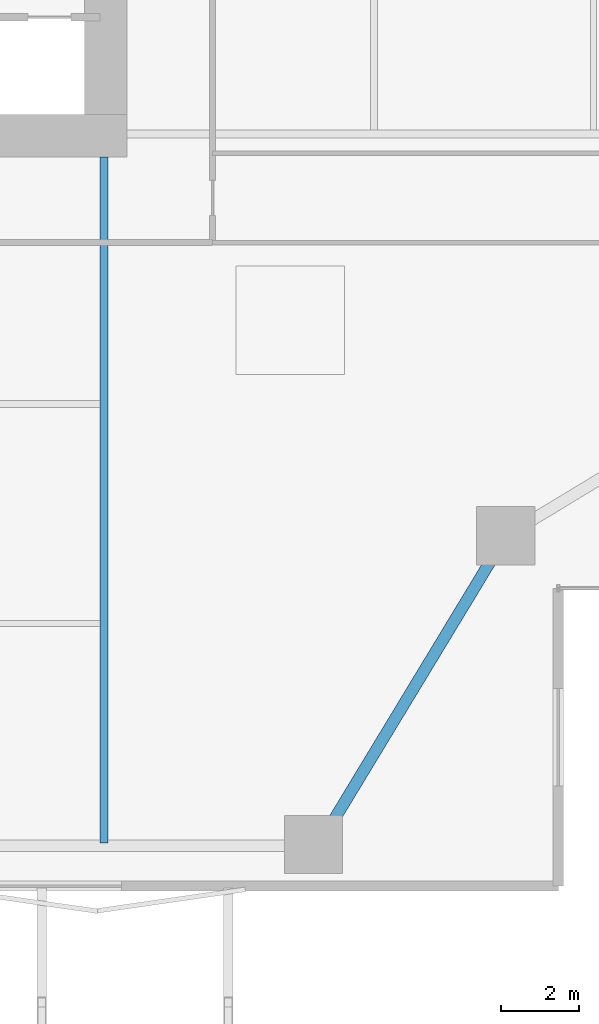
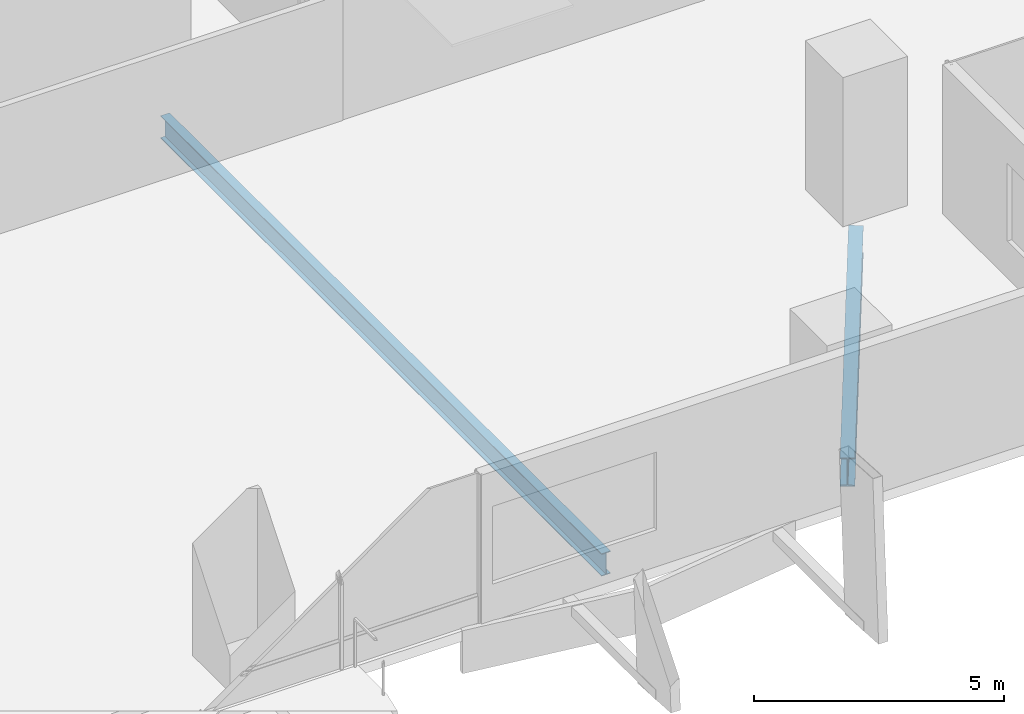
# One storey, part 9 of 30: 2 beams.
"""IFC4 building model written with IfcOpenShell, lengths in metres."""

from ifc_helpers import new_model, si_unit, direction, frame, origin, origin_2d, place, context, subcontext, project, spatial, i_section, extrude, material, material_profile, profile_set, type_object, element, save


model = new_model("IFC4")

# Units and contexts
model_context = context("Model", 3, precision=1e-05, world=origin(), true_north=direction((0.0, 1.0)))
body_context = subcontext(model_context, "Body", "Model", "MODEL_VIEW")
ifc_project = project(units=[si_unit("LENGTHUNIT", "METRE"), si_unit("AREAUNIT", "SQUARE_METRE"), si_unit("VOLUMEUNIT", "CUBIC_METRE"), si_unit("PLANEANGLEUNIT", "RADIAN"), si_unit("MASSUNIT", "GRAM", prefix="KILO")], contexts=[model_context])

# Site, building, storey
site_placement = place(None, origin())
site = spatial("IfcSite", under=ifc_project, at=site_placement, CompositionType="ELEMENT")
building_placement = place(site_placement, origin())
building = spatial("IfcBuilding", under=site, at=building_placement, Name="Belovzor Exchange Tower", CompositionType="ELEMENT")
storey_placement = place(building_placement, frame((0.0, 0.0, 30.0)))
storey = spatial("IfcBuildingStorey", under=building, at=storey_placement, Name="L06", CompositionType="ELEMENT", Elevation=30.0)

# Beams
ifc_material_1 = material(Name="Steel S355", Category="steel")
ifc_material_profile_1 = material_profile(ifc_material_1, i_section(OverallWidth=0.300048828125, OverallDepth=0.699951171875, WebThickness=0.01708984375, FlangeThickness=0.031982421875, at=origin_2d()))
ifc_profile_set_1 = profile_set([ifc_material_profile_1], Name="Steel S355")
beam_type_1 = type_object("IfcBeamType", Name="Zone 1 Primary Perimeter Girder HEB 700", PredefinedType="BEAM", material=ifc_profile_set_1)
beam_1_placement = place(storey_placement, frame((43.032958984375, 2.587890625, -0.60009765625), z_axis=(0.517901728753, 0.855440120262, 0.0), x_axis=(-0.855440120262, 0.517901728753, 0.0)))
element("IfcBeam", 1, at=beam_1_placement, inside=storey, type_object=beam_type_1, Name="FG-Z1 Zone 1 Primary Perimeter Girder HEB 700", PredefinedType="BEAM", context=body_context, shape_type="SweptSolid", body=[
    extrude(i_section(OverallWidth=0.300048828125, OverallDepth=0.699951171875, WebThickness=0.01708984375, FlangeThickness=0.031982421875, at=origin_2d()), origin(), (0.0, 0.0, 1.0), 8.11767578125),
])
ifc_material_2 = material(Name="Steel S355", Category="steel")
ifc_material_profile_2 = material_profile(ifc_material_2, i_section(OverallWidth=0.2099609375, OverallDepth=0.550048828125, WebThickness=0.010986328125, FlangeThickness=0.01708984375, at=origin_2d()))
ifc_profile_set_2 = profile_set([ifc_material_profile_2], Name="Steel S355")
beam_type_2 = type_object("IfcBeamType", Name="Zone 1 Radial Composite Floor Beam IPE 550", PredefinedType="BEAM", material=ifc_profile_set_2)
beam_2_placement = place(storey_placement, frame((37.199951171875, 19.800048828125, -0.52490234375), z_axis=(0.0, -1.0, 0.0), x_axis=(1.0, 0.0, 0.0)))
element("IfcBeam", 2, at=beam_2_placement, inside=storey, type_object=beam_type_2, Name="FB-550 Zone 1 Radial Composite Floor Beam IPE 550", PredefinedType="BEAM", context=body_context, shape_type="SweptSolid", body=[
    extrude(i_section(OverallWidth=0.2099609375, OverallDepth=0.550048828125, WebThickness=0.010986328125, FlangeThickness=0.01708984375, at=origin_2d()), origin(), (0.0, 0.0, 1.0), 17.655029296875),
])

save(model, "model.ifc")
